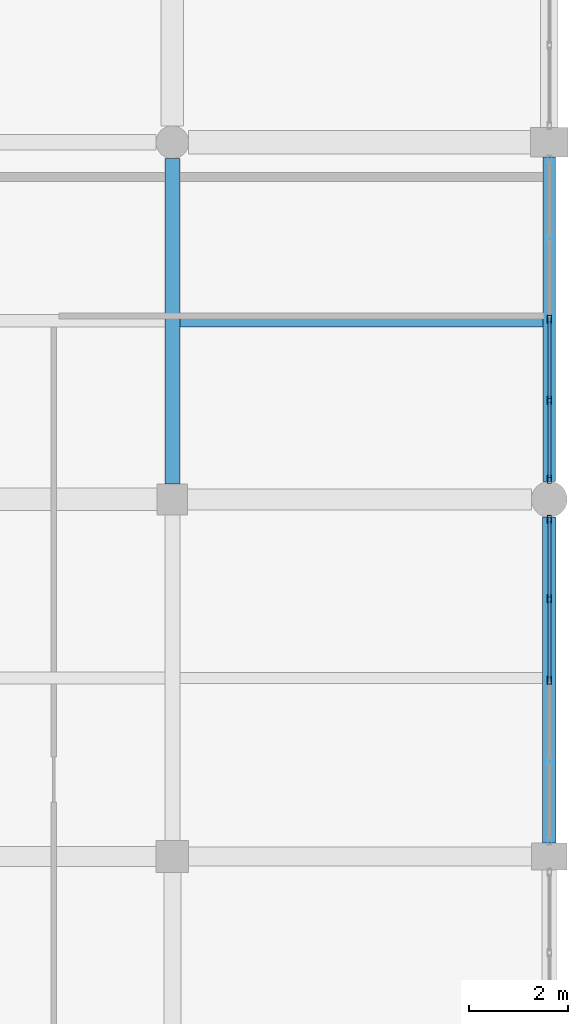
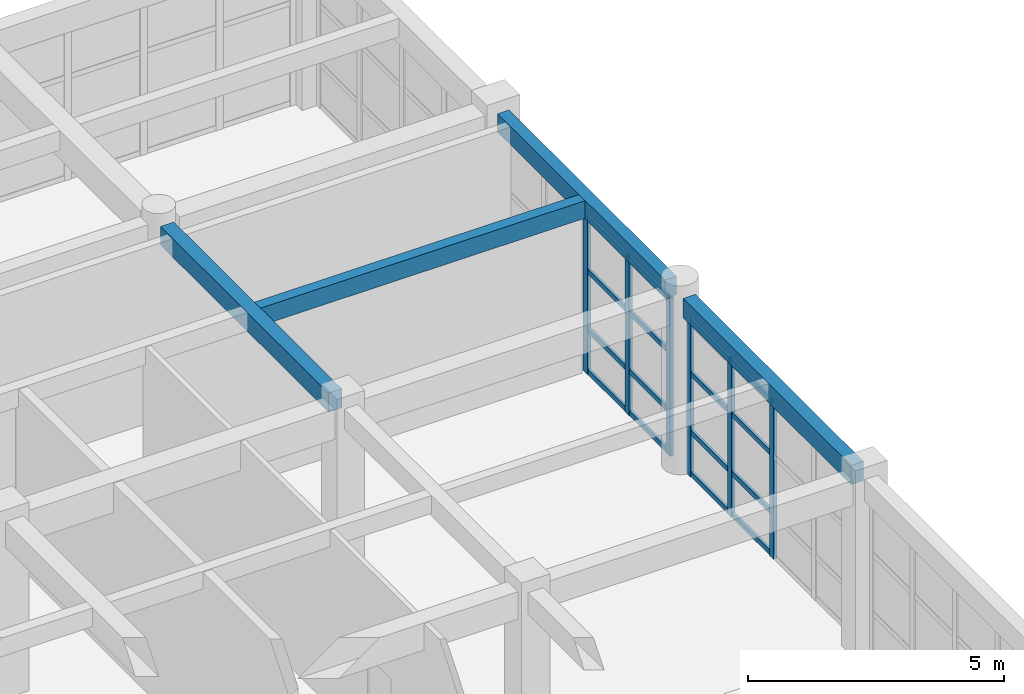
# One storey, part 107 of 160: 22 members, 4 beams, 2 elements without a shape of their own.
"""IFC4 building model written with IfcOpenShell, lengths in metres."""

from ifc_helpers import new_model, si_unit, direction, frame, origin, origin_2d, place, context, subcontext, project, spatial, rectangle, hollow_rectangle, extrude, material, material_profile, profile_set, type_object, element, aggregate, save


model = new_model("IFC4")

# Units and contexts
model_context = context("Model", 3, precision=1e-05, world=origin(), true_north=direction((0.0, 1.0)))
body_context = subcontext(model_context, "Body", "Model", "MODEL_VIEW")
ifc_project = project(units=[si_unit("LENGTHUNIT", "METRE"), si_unit("AREAUNIT", "SQUARE_METRE"), si_unit("VOLUMEUNIT", "CUBIC_METRE"), si_unit("PLANEANGLEUNIT", "RADIAN"), si_unit("MASSUNIT", "GRAM", prefix="KILO")], contexts=[model_context])

# Site, building, storey
site_placement = place(None, origin())
site = spatial("IfcSite", under=ifc_project, at=site_placement, CompositionType="ELEMENT")
building_placement = place(site_placement, origin())
building = spatial("IfcBuilding", under=site, at=building_placement, Name="Kharva Crest Polytechnic", CompositionType="ELEMENT")
storey_placement = place(building_placement, frame((0.0, 0.0, 4.5)))
storey = spatial("IfcBuildingStorey", under=building, at=storey_placement, Name="L01", CompositionType="ELEMENT", Elevation=4.5)

# Beam
ifc_material_1 = material(Name="Concrete C35/45", Category="concrete")
ifc_material_profile_1 = material_profile(ifc_material_1, rectangle(XDim=0.300048828125, YDim=0.449951171875, at=origin_2d()), Name="RECT 300 X 450")
ifc_profile_set_1 = profile_set([ifc_material_profile_1], Name="Concrete C35/45")
beam_type_1 = type_object("IfcBeamType", Name="BM-RC-300X450", PredefinedType="BEAM", material=ifc_profile_set_1)
beam_1_placement = place(storey_placement, frame((176.39990234375, 107.909912109375, 3.9951171875), z_axis=(0.0, 1.0, 0.0), x_axis=(-1.0, 0.0, 0.0)))
element("IfcBeam", 1, at=beam_1_placement, inside=storey, type_object=beam_type_1, Name="L01 Girder 23/Q-R", PredefinedType="BEAM", context=body_context, shape_type="SweptSolid", body=[
    extrude(rectangle(XDim=0.300048828125, YDim=0.449951171875, at=origin_2d()), origin(), (0.0, 0.0, 1.0), 6.56005859375),
])

# Curtain wall, members
ifc_material_2 = material(Name="Tempered insulated glass", Category="glass")
curtain_wall_type = type_object("IfcCurtainWallType", Name="CW-SYS-COURT", PredefinedType="USERDEFINED", material=ifc_material_2)
curtain_wall_1_placement = place(storey_placement, origin())
curtain_wall_1 = element("IfcCurtainWall", 2, at=curtain_wall_1_placement, inside=storey, type_object=curtain_wall_type, Name="L01 Glazed Curtain Wall CW-065", ObjectType="CURTAIN WALL", PredefinedType="USERDEFINED")
ifc_material_3 = material(Name="Steel S355", Category="steel")
ifc_material_profile_2 = material_profile(ifc_material_3, hollow_rectangle(XDim=0.080078125, YDim=0.159912109375, WallThickness=0.0048828125, at=origin_2d()), Name="RHS 160X80X5.0")
ifc_profile_set_2 = profile_set([ifc_material_profile_2], Name="Steel S355")
member_type_1 = type_object("IfcMemberType", Name="CWM-RHS160X80", PredefinedType="MULLION", material=ifc_profile_set_2)
member_1_placement = place(storey_placement, frame((184.0, 103.95751953125, 0.0), z_axis=(0.0, 0.0, 1.0), x_axis=(-1.0, 0.0, 0.0)))
member_1 = element("IfcMember", 3, at=member_1_placement, type_object=member_type_1, Name="CW-065 mullion 3", PredefinedType="MULLION", context=body_context, shape_type="SweptSolid", body=[
    extrude(hollow_rectangle(XDim=0.080078125, YDim=0.159912109375, WallThickness=0.0048828125, at=origin_2d()), origin(), (0.0, 0.0, 1.0), 3.760009765625),
])
member_2_placement = place(storey_placement, frame((184.0, 105.59619140625, 0.0), z_axis=(0.0, 0.0, 1.0), x_axis=(-1.0, 0.0, 0.0)))
member_2 = element("IfcMember", 4, at=member_2_placement, type_object=member_type_1, Name="CW-065 mullion 4", PredefinedType="MULLION", context=body_context, shape_type="SweptSolid", body=[
    extrude(hollow_rectangle(XDim=0.080078125, YDim=0.159912109375, WallThickness=0.0048828125, at=origin_2d()), origin(), (0.0, 0.0, 1.0), 3.760009765625),
])
member_3_placement = place(storey_placement, frame((184.0, 107.195068359375, 0.0), z_axis=(0.0, 0.0, 1.0), x_axis=(-1.0, 0.0, 0.0)))
member_3 = element("IfcMember", 5, at=member_3_placement, type_object=member_type_1, Name="CW-065 mullion 5", PredefinedType="MULLION", context=body_context, shape_type="SweptSolid", body=[
    extrude(hollow_rectangle(XDim=0.080078125, YDim=0.159912109375, WallThickness=0.0048828125, at=origin_2d()), origin(), (0.0, 0.0, 1.0), 3.760009765625),
])

curtain_wall_2_placement = place(storey_placement, origin())
curtain_wall_2 = element("IfcCurtainWall", 6, at=curtain_wall_2_placement, inside=storey, type_object=curtain_wall_type, Name="L01 Glazed Curtain Wall CW-066", ObjectType="CURTAIN WALL", PredefinedType="USERDEFINED")
member_4_placement = place(storey_placement, frame((184.0, 108.0048828125, 0.0), z_axis=(0.0, 0.0, 1.0), x_axis=(-1.0, 0.0, 0.0)))
member_4 = element("IfcMember", 7, at=member_4_placement, type_object=member_type_1, Name="CW-066 mullion 1", PredefinedType="MULLION", context=body_context, shape_type="SweptSolid", body=[
    extrude(hollow_rectangle(XDim=0.080078125, YDim=0.159912109375, WallThickness=0.0048828125, at=origin_2d()), origin(), (0.0, 0.0, 1.0), 3.780029296875),
])
member_5_placement = place(storey_placement, frame((184.0, 109.597412109375, 0.0), z_axis=(0.0, 0.0, 1.0), x_axis=(-1.0, 0.0, 0.0)))
member_5 = element("IfcMember", 8, at=member_5_placement, type_object=member_type_1, Name="CW-066 mullion 2", PredefinedType="MULLION", context=body_context, shape_type="SweptSolid", body=[
    extrude(hollow_rectangle(XDim=0.080078125, YDim=0.159912109375, WallThickness=0.0048828125, at=origin_2d()), origin(), (0.0, 0.0, 1.0), 3.780029296875),
])
member_6_placement = place(storey_placement, frame((184.0, 111.22998046875, 0.0), z_axis=(0.0, 0.0, 1.0), x_axis=(-1.0, 0.0, 0.0)))
member_6 = element("IfcMember", 9, at=member_6_placement, type_object=member_type_1, Name="CW-066 mullion 3", PredefinedType="MULLION", context=body_context, shape_type="SweptSolid", body=[
    extrude(hollow_rectangle(XDim=0.080078125, YDim=0.159912109375, WallThickness=0.0048828125, at=origin_2d()), origin(), (0.0, 0.0, 1.0), 3.780029296875),
])

# Member
ifc_material_profile_3 = material_profile(ifc_material_3, hollow_rectangle(XDim=0.06005859375, YDim=0.1201171875, WallThickness=0.00390625, at=origin_2d()), Name="RHS 120X60X4.0")
ifc_profile_set_3 = profile_set([ifc_material_profile_3], Name="Steel S355")
member_type_2 = type_object("IfcMemberType", Name="CWT-RHS120X60", PredefinedType="USERDEFINED", material=ifc_profile_set_3)
member_7_placement = place(storey_placement, frame((184.0, 103.99755859375, 0.06005859375), z_axis=(0.0, 1.0, 0.0), x_axis=(-1.0, 0.0, 0.0)))
member_7 = element("IfcMember", 10, at=member_7_placement, type_object=member_type_2, Name="CW-065 transom 3.1", ObjectType="TRANSOM", PredefinedType="USERDEFINED", context=body_context, shape_type="SweptSolid", body=[
    extrude(hollow_rectangle(XDim=0.06005859375, YDim=0.1201171875, WallThickness=0.00390625, at=origin_2d()), origin(), (0.0, 0.0, 1.0), 1.55859375),
])

member_8_placement = place(storey_placement, frame((184.0, 103.99755859375, 1.050048828125), z_axis=(0.0, 1.0, 0.0), x_axis=(-1.0, 0.0, 0.0)))
member_8 = element("IfcMember", 11, at=member_8_placement, type_object=member_type_2, Name="CW-065 transom 3.2", ObjectType="TRANSOM", PredefinedType="USERDEFINED", context=body_context, shape_type="SweptSolid", body=[
    extrude(hollow_rectangle(XDim=0.06005859375, YDim=0.1201171875, WallThickness=0.00390625, at=origin_2d()), origin(), (0.0, 0.0, 1.0), 1.55859375),
])

member_9_placement = place(storey_placement, frame((184.0, 103.99755859375, 2.449951171875), z_axis=(0.0, 1.0, 0.0), x_axis=(-1.0, 0.0, 0.0)))
member_9 = element("IfcMember", 12, at=member_9_placement, type_object=member_type_2, Name="CW-065 transom 3.3", ObjectType="TRANSOM", PredefinedType="USERDEFINED", context=body_context, shape_type="SweptSolid", body=[
    extrude(hollow_rectangle(XDim=0.06005859375, YDim=0.1201171875, WallThickness=0.00390625, at=origin_2d()), origin(), (0.0, 0.0, 1.0), 1.55859375),
])

member_10_placement = place(storey_placement, frame((184.0, 103.99755859375, 3.699951171875), z_axis=(0.0, 1.0, 0.0), x_axis=(-1.0, 0.0, 0.0)))
member_10 = element("IfcMember", 13, at=member_10_placement, type_object=member_type_2, Name="CW-065 transom 3.4", ObjectType="TRANSOM", PredefinedType="USERDEFINED", context=body_context, shape_type="SweptSolid", body=[
    extrude(hollow_rectangle(XDim=0.06005859375, YDim=0.1201171875, WallThickness=0.00390625, at=origin_2d()), origin(), (0.0, 0.0, 1.0), 1.55859375),
])

member_11_placement = place(storey_placement, frame((184.0, 105.63623046875, 0.06005859375), z_axis=(0.0, 1.0, 0.0), x_axis=(-1.0, 0.0, 0.0)))
member_11 = element("IfcMember", 14, at=member_11_placement, type_object=member_type_2, Name="CW-065 transom 4.1", ObjectType="TRANSOM", PredefinedType="USERDEFINED", context=body_context, shape_type="SweptSolid", body=[
    extrude(hollow_rectangle(XDim=0.06005859375, YDim=0.1201171875, WallThickness=0.00390625, at=origin_2d()), origin(), (0.0, 0.0, 1.0), 1.518798828125),
])

member_12_placement = place(storey_placement, frame((184.0, 105.63623046875, 1.050048828125), z_axis=(0.0, 1.0, 0.0), x_axis=(-1.0, 0.0, 0.0)))
member_12 = element("IfcMember", 15, at=member_12_placement, type_object=member_type_2, Name="CW-065 transom 4.2", ObjectType="TRANSOM", PredefinedType="USERDEFINED", context=body_context, shape_type="SweptSolid", body=[
    extrude(hollow_rectangle(XDim=0.06005859375, YDim=0.1201171875, WallThickness=0.00390625, at=origin_2d()), origin(), (0.0, 0.0, 1.0), 1.518798828125),
])

member_13_placement = place(storey_placement, frame((184.0, 105.63623046875, 2.449951171875), z_axis=(0.0, 1.0, 0.0), x_axis=(-1.0, 0.0, 0.0)))
member_13 = element("IfcMember", 16, at=member_13_placement, type_object=member_type_2, Name="CW-065 transom 4.3", ObjectType="TRANSOM", PredefinedType="USERDEFINED", context=body_context, shape_type="SweptSolid", body=[
    extrude(hollow_rectangle(XDim=0.06005859375, YDim=0.1201171875, WallThickness=0.00390625, at=origin_2d()), origin(), (0.0, 0.0, 1.0), 1.518798828125),
])

member_14_placement = place(storey_placement, frame((184.0, 105.63623046875, 3.699951171875), z_axis=(0.0, 1.0, 0.0), x_axis=(-1.0, 0.0, 0.0)))
member_14 = element("IfcMember", 17, at=member_14_placement, type_object=member_type_2, Name="CW-065 transom 4.4", ObjectType="TRANSOM", PredefinedType="USERDEFINED", context=body_context, shape_type="SweptSolid", body=[
    extrude(hollow_rectangle(XDim=0.06005859375, YDim=0.1201171875, WallThickness=0.00390625, at=origin_2d()), origin(), (0.0, 0.0, 1.0), 1.518798828125),
])

aggregate(curtain_wall_1, [member_1, member_2, member_3, member_7, member_8, member_9, member_10, member_11, member_12, member_13, member_14])

member_15_placement = place(storey_placement, frame((184.0, 108.044921875, 0.06005859375), z_axis=(0.0, 1.0, 0.0), x_axis=(-1.0, 0.0, 0.0)))
member_15 = element("IfcMember", 18, at=member_15_placement, type_object=member_type_2, Name="CW-066 transom 1.1", ObjectType="TRANSOM", PredefinedType="USERDEFINED", context=body_context, shape_type="SweptSolid", body=[
    extrude(hollow_rectangle(XDim=0.06005859375, YDim=0.1201171875, WallThickness=0.00390625, at=origin_2d()), origin(), (0.0, 0.0, 1.0), 1.5126953125),
])

member_16_placement = place(storey_placement, frame((184.0, 108.044921875, 1.050048828125), z_axis=(0.0, 1.0, 0.0), x_axis=(-1.0, 0.0, 0.0)))
member_16 = element("IfcMember", 19, at=member_16_placement, type_object=member_type_2, Name="CW-066 transom 1.2", ObjectType="TRANSOM", PredefinedType="USERDEFINED", context=body_context, shape_type="SweptSolid", body=[
    extrude(hollow_rectangle(XDim=0.06005859375, YDim=0.1201171875, WallThickness=0.00390625, at=origin_2d()), origin(), (0.0, 0.0, 1.0), 1.5126953125),
])

member_17_placement = place(storey_placement, frame((184.0, 108.044921875, 2.449951171875), z_axis=(0.0, 1.0, 0.0), x_axis=(-1.0, 0.0, 0.0)))
member_17 = element("IfcMember", 20, at=member_17_placement, type_object=member_type_2, Name="CW-066 transom 1.3", ObjectType="TRANSOM", PredefinedType="USERDEFINED", context=body_context, shape_type="SweptSolid", body=[
    extrude(hollow_rectangle(XDim=0.06005859375, YDim=0.1201171875, WallThickness=0.00390625, at=origin_2d()), origin(), (0.0, 0.0, 1.0), 1.5126953125),
])

member_18_placement = place(storey_placement, frame((184.0, 108.044921875, 3.719970703125), z_axis=(0.0, 1.0, 0.0), x_axis=(-1.0, 0.0, 0.0)))
member_18 = element("IfcMember", 21, at=member_18_placement, type_object=member_type_2, Name="CW-066 transom 1.4", ObjectType="TRANSOM", PredefinedType="USERDEFINED", context=body_context, shape_type="SweptSolid", body=[
    extrude(hollow_rectangle(XDim=0.06005859375, YDim=0.1201171875, WallThickness=0.00390625, at=origin_2d()), origin(), (0.0, 0.0, 1.0), 1.5126953125),
])

member_19_placement = place(storey_placement, frame((184.0, 109.637451171875, 0.06005859375), z_axis=(0.0, 1.0, 0.0), x_axis=(-1.0, 0.0, 0.0)))
member_19 = element("IfcMember", 22, at=member_19_placement, type_object=member_type_2, Name="CW-066 transom 2.1", ObjectType="TRANSOM", PredefinedType="USERDEFINED", context=body_context, shape_type="SweptSolid", body=[
    extrude(hollow_rectangle(XDim=0.06005859375, YDim=0.1201171875, WallThickness=0.00390625, at=origin_2d()), origin(), (0.0, 0.0, 1.0), 1.552490234375),
])

member_20_placement = place(storey_placement, frame((184.0, 109.637451171875, 1.050048828125), z_axis=(0.0, 1.0, 0.0), x_axis=(-1.0, 0.0, 0.0)))
member_20 = element("IfcMember", 23, at=member_20_placement, type_object=member_type_2, Name="CW-066 transom 2.2", ObjectType="TRANSOM", PredefinedType="USERDEFINED", context=body_context, shape_type="SweptSolid", body=[
    extrude(hollow_rectangle(XDim=0.06005859375, YDim=0.1201171875, WallThickness=0.00390625, at=origin_2d()), origin(), (0.0, 0.0, 1.0), 1.552490234375),
])

member_21_placement = place(storey_placement, frame((184.0, 109.637451171875, 2.449951171875), z_axis=(0.0, 1.0, 0.0), x_axis=(-1.0, 0.0, 0.0)))
member_21 = element("IfcMember", 24, at=member_21_placement, type_object=member_type_2, Name="CW-066 transom 2.3", ObjectType="TRANSOM", PredefinedType="USERDEFINED", context=body_context, shape_type="SweptSolid", body=[
    extrude(hollow_rectangle(XDim=0.06005859375, YDim=0.1201171875, WallThickness=0.00390625, at=origin_2d()), origin(), (0.0, 0.0, 1.0), 1.552490234375),
])

member_22_placement = place(storey_placement, frame((184.0, 109.637451171875, 3.719970703125), z_axis=(0.0, 1.0, 0.0), x_axis=(-1.0, 0.0, 0.0)))
member_22 = element("IfcMember", 25, at=member_22_placement, type_object=member_type_2, Name="CW-066 transom 2.4", ObjectType="TRANSOM", PredefinedType="USERDEFINED", context=body_context, shape_type="SweptSolid", body=[
    extrude(hollow_rectangle(XDim=0.06005859375, YDim=0.1201171875, WallThickness=0.00390625, at=origin_2d()), origin(), (0.0, 0.0, 1.0), 1.552490234375),
])

aggregate(curtain_wall_2, [member_4, member_5, member_6, member_15, member_16, member_17, member_18, member_19, member_20, member_21, member_22])

# Beams
ifc_material_profile_4 = material_profile(ifc_material_1, rectangle(XDim=0.239990234375, YDim=0.419921875, at=origin_2d()), Name="RECT 240 X 420")
ifc_profile_set_4 = profile_set([ifc_material_profile_4], Name="Concrete C35/45")
beam_type_2 = type_object("IfcBeamType", Name="JS-RC-240X420", PredefinedType="JOIST", material=ifc_profile_set_4)
beam_2_placement = place(storey_placement, frame((176.550048828125, 111.199951171875, 4.010009765625), z_axis=(1.0, 0.0, 0.0), x_axis=(0.0, 1.0, 0.0)))
element("IfcBeam", 26, at=beam_2_placement, inside=storey, type_object=beam_type_2, Name="L01 Floor Joist 44", PredefinedType="JOIST", context=body_context, shape_type="SweptSolid", body=[
    extrude(rectangle(XDim=0.239990234375, YDim=0.419921875, at=origin_2d()), origin(), (0.0, 0.0, 1.0), 7.320068359375),
])
ifc_material_profile_5 = material_profile(ifc_material_1, rectangle(XDim=0.260009765625, YDim=0.43994140625, at=origin_2d()), Name="RECT 260 X 440")
ifc_profile_set_5 = profile_set([ifc_material_profile_5], Name="Concrete C35/45")
beam_type_3 = type_object("IfcBeamType", Name="SP-RC-260X440", PredefinedType="SPANDREL", material=ifc_profile_set_5)
beam_3_placement = place(storey_placement, frame((184.0, 107.9599609375, 4.0), z_axis=(0.0, 1.0, 0.0), x_axis=(-1.0, 0.0, 0.0)))
element("IfcBeam", 27, at=beam_3_placement, inside=storey, type_object=beam_type_3, Name="L01 Girder 24/Q-R", PredefinedType="SPANDREL", context=body_context, shape_type="SweptSolid", body=[
    extrude(rectangle(XDim=0.260009765625, YDim=0.43994140625, at=origin_2d()), origin(), (0.0, 0.0, 1.0), 6.5400390625),
])
ifc_material_profile_6 = material_profile(ifc_material_1, rectangle(XDim=0.280029296875, YDim=0.4599609375, at=origin_2d()), Name="RECT 280 X 460")
ifc_profile_set_6 = profile_set([ifc_material_profile_6], Name="Concrete C35/45")
beam_type_4 = type_object("IfcBeamType", Name="SP-RC-280X460", PredefinedType="SPANDREL", material=ifc_profile_set_6)
beam_4_placement = place(storey_placement, frame((184.0, 100.675048828125, 3.989990234375), z_axis=(0.0, 1.0, 0.0), x_axis=(-1.0, 0.0, 0.0)))
element("IfcBeam", 28, at=beam_4_placement, inside=storey, type_object=beam_type_4, Name="L01 Girder 24/P-Q", PredefinedType="SPANDREL", context=body_context, shape_type="SweptSolid", body=[
    extrude(rectangle(XDim=0.280029296875, YDim=0.4599609375, at=origin_2d()), origin(), (0.0, 0.0, 1.0), 6.56494140625),
])

save(model, "model.ifc")
